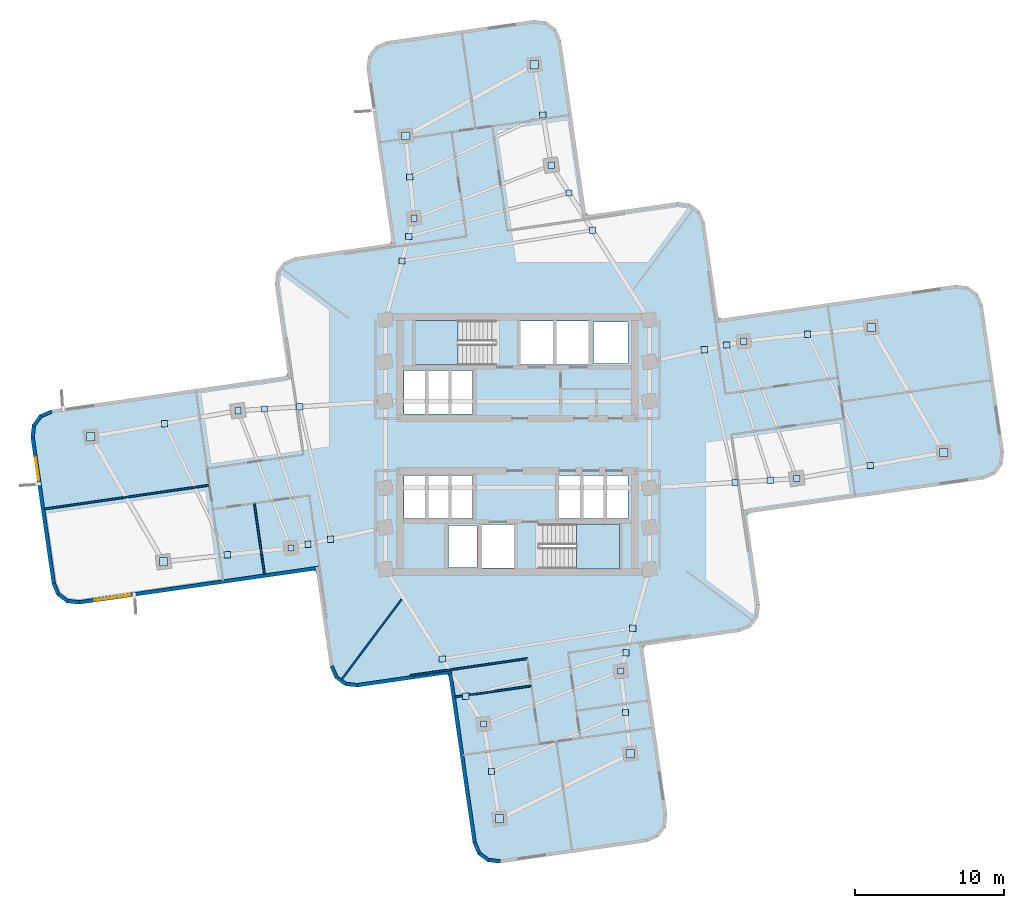
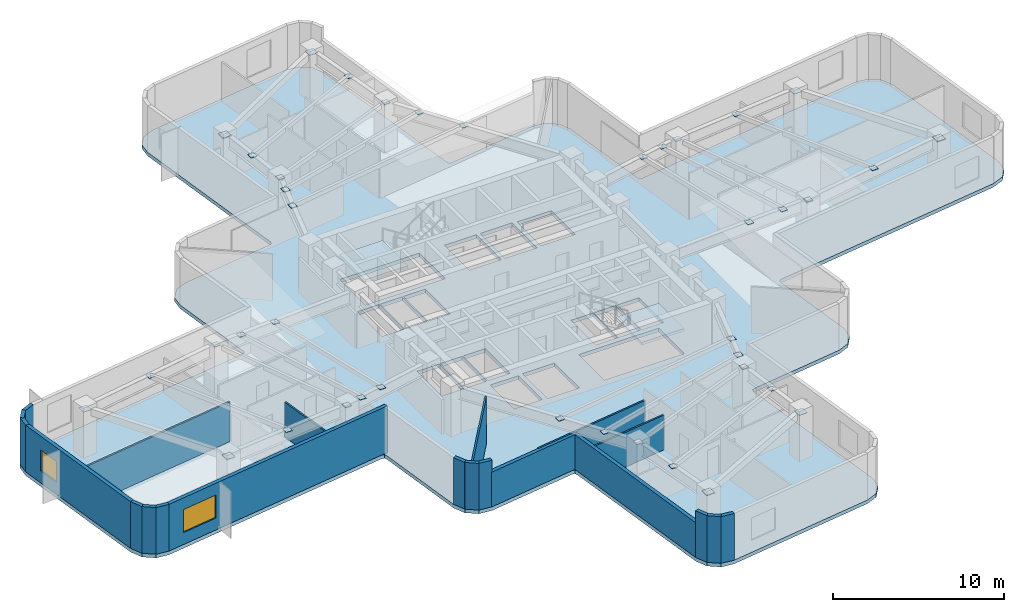
# One storey, part 2 of 10: 40 plates, 21 walls, 3 slabs, 2 windows, 2 openings, 2 elements without a shape of their own.
"""IFC4 building model written with IfcOpenShell, lengths in metres."""

from ifc_helpers import new_model, si_unit, direction, frame, frame_2d, origin, origin_2d, place, context, subcontext, project, spatial, polyline, rectangle, outline, extrude, material, layer, layer_set, type_object, element, fill, aggregate, save


model = new_model("IFC4")

# Units and contexts
model_context = context("Model", 3, precision=1e-05, world=origin(), true_north=direction((0.0, 1.0)))
body_context = subcontext(model_context, "Body", "Model", "MODEL_VIEW")
ifc_project = project(units=[si_unit("LENGTHUNIT", "METRE"), si_unit("AREAUNIT", "SQUARE_METRE"), si_unit("VOLUMEUNIT", "CUBIC_METRE"), si_unit("PLANEANGLEUNIT", "RADIAN"), si_unit("MASSUNIT", "GRAM", prefix="KILO")], contexts=[model_context])

# Site, building, storey
site_placement = place(None, origin())
site = spatial("IfcSite", under=ifc_project, at=site_placement, CompositionType="ELEMENT")
building_placement = place(site_placement, origin())
building = spatial("IfcBuilding", under=site, at=building_placement, Name="Solmarez Civic Tower", CompositionType="ELEMENT")
storey_placement = place(building_placement, frame((0.0, 0.0, 85.679931640625)))
storey = spatial("IfcBuildingStorey", under=building, at=storey_placement, Name="L22", CompositionType="ELEMENT", Elevation=85.679931640625)

# Plates
ifc_material_1 = material(Name="Steel S355", Category="steel")
ifc_layer_1 = layer(ifc_material_1, 0.02392578125)
ifc_layer_set_1 = layer_set([ifc_layer_1], Name="Steel S355")
plate_type_1 = type_object("IfcPlateType", Name="PLT-CAP-380", PredefinedType="USERDEFINED", material=ifc_layer_set_1)
for number, where, z_axis, x_axis, name in (
    (1, (18.72412109375, -2.27099609375, 3.17822265625), (0.0, 0.0, 1.0), (1.0, 0.0, 0.0), "Steel Member End Cap Plate CAP-BM-L22-EA-T1-0"),
    (2, (15.175048828125, 6.927001953125, 3.17822265625), (0.0, 0.0, 1.0), (1.0, 0.0, 0.0), "Steel Member End Cap Plate CAP-BM-L22-EA-T1-1"),
    (3, (23.64990234375, -1.402099609375, 3.17822265625), (0.0, 0.0, 1.0), (1.0, 0.0, 0.0), "Steel Member End Cap Plate CAP-JS-L22-EA-M2-0"),
    (4, (19.445068359375, 7.388916015625, 3.17822265625), (0.0, 0.0, 1.0), (1.0, 0.0, 0.0), "Steel Member End Cap Plate CAP-JS-L22-EA-M2-1"),
    (5, (14.576904296875, -2.534912109375, 3.17822265625), (0.0, 0.0, 1.0), (1.0, 0.0, 0.0), "Steel Member End Cap Plate CAP-JS-L22-EA-M11-0"),
    (6, (12.51806640625, 6.34912109375, 3.17822265625), (0.0, 0.0, 1.0), (1.0, 0.0, 0.0), "Steel Member End Cap Plate CAP-JS-L22-EA-M11-1"),
    (7, (16.947021484375, -2.384033203125, 3.17822265625), (0.0, 0.0, 1.0), (1.0, 0.0, 0.0), "Steel Member End Cap Plate CAP-JS-L22-EA-M12-0"),
    (8, (14.037109375, 6.678955078125, 3.17822265625), (0.0, 0.0, 1.0), (1.0, 0.0, 0.0), "Steel Member End Cap Plate CAP-JS-L22-EA-M12-1"),
    (9, (2.27099609375, 18.72412109375, 3.17822265625), (0.0, 0.0, 1.0), (1.0, 0.0, 0.0), "Steel Member End Cap Plate CAP-BM-L22-NA-T1-0"),
    (10, (-6.927001953125, 15.175048828125, 3.17822265625), (0.0, 0.0, 1.0), (1.0, 0.0, 0.0), "Steel Member End Cap Plate CAP-BM-L22-NA-T1-1"),
    (11, (1.705078125, 22.090087890625, 3.17822265625), (0.0, 0.0, 1.0), (1.0, 0.0, 0.0), "Steel Member End Cap Plate CAP-JS-L22-NA-M2-0"),
    (12, (-7.2080078125, 17.927001953125, 3.17822265625), (0.0, 0.0, 1.0), (1.0, 0.0, 0.0), "Steel Member End Cap Plate CAP-JS-L22-NA-M2-1"),
    (13, (5.033935546875, 14.366943359375, 3.17822265625), (0.0, 0.0, 1.0), (1.0, 0.0, 0.0), "Steel Member End Cap Plate CAP-JS-L22-NA-M11-0"),
    (14, (-7.735107421875, 12.30908203125, 3.17822265625), (0.0, 0.0, 1.0), (1.0, 0.0, 0.0), "Steel Member End Cap Plate CAP-JS-L22-NA-M11-1"),
    (15, (3.455078125, 16.85693359375, 3.17822265625), (0.0, 0.0, 1.0), (1.0, 0.0, 0.0), "Steel Member End Cap Plate CAP-JS-L22-NA-M12-0"),
    (16, (-7.27294921875, 13.947021484375, 3.17822265625), (0.0, 0.0, 1.0), (1.0, 0.0, 0.0), "Steel Member End Cap Plate CAP-JS-L22-NA-M12-1"),
    (17, (-18.72412109375, 2.27099609375, 3.17822265625), (0.0, 0.0, 1.0), (1.0, 0.0, 0.0), "Steel Member End Cap Plate CAP-BM-L22-WA-T1-0"),
    (18, (-15.175048828125, -6.927001953125, 3.17822265625), (0.0, 0.0, 1.0), (1.0, 0.0, 0.0), "Steel Member End Cap Plate CAP-BM-L22-WA-T1-1"),
    (19, (-23.64990234375, 1.402099609375, 3.17822265625), (0.0, 0.0, 1.0), (1.0, 0.0, 0.0), "Steel Member End Cap Plate CAP-JS-L22-WA-M2-0"),
    (20, (-19.445068359375, -7.388916015625, 3.17822265625), (0.0, 0.0, 1.0), (1.0, 0.0, 0.0), "Steel Member End Cap Plate CAP-JS-L22-WA-M2-1"),
    (21, (-14.576904296875, 2.534912109375, 3.17822265625), (0.0, 0.0, 1.0), (1.0, 0.0, 0.0), "Steel Member End Cap Plate CAP-JS-L22-WA-M11-0"),
    (22, (-12.51806640625, -6.34912109375, 3.17822265625), (0.0, 0.0, 1.0), (1.0, 0.0, 0.0), "Steel Member End Cap Plate CAP-JS-L22-WA-M11-1"),
    (23, (-16.947021484375, 2.384033203125, 3.17822265625), (0.0, 0.0, 1.0), (1.0, 0.0, 0.0), "Steel Member End Cap Plate CAP-JS-L22-WA-M12-0"),
    (24, (-14.037109375, -6.678955078125, 3.17822265625), (0.0, 0.0, 1.0), (1.0, 0.0, 0.0), "Steel Member End Cap Plate CAP-JS-L22-WA-M12-1"),
    (25, (-2.27099609375, -18.72412109375, 3.17822265625), (0.0, 0.0, 1.0), (1.0, 0.0, 0.0), "Steel Member End Cap Plate CAP-BM-L22-SA-T1-0"),
    (26, (6.927001953125, -15.175048828125, 3.17822265625), (0.0, 0.0, 1.0), (1.0, 0.0, 0.0), "Steel Member End Cap Plate CAP-BM-L22-SA-T1-1"),
    (27, (-1.73291015625, -21.89892578125, 3.17822265625), (0.0, 0.0, 1.0), (1.0, 0.0, 0.0), "Steel Member End Cap Plate CAP-JS-L22-SA-M2-0"),
    (28, (7.25, -17.944091796875, 3.17822265625), (0.0, 0.0, 1.0), (1.0, 0.0, 0.0), "Steel Member End Cap Plate CAP-JS-L22-SA-M2-1"),
    (29, (-5.033935546875, -14.366943359375, 3.17822265625), (0.0, 0.0, 1.0), (1.0, 0.0, 0.0), "Steel Member End Cap Plate CAP-JS-L22-SA-M11-0"),
    (30, (7.735107421875, -12.30908203125, 3.17822265625), (0.0, 0.0, 1.0), (1.0, 0.0, 0.0), "Steel Member End Cap Plate CAP-JS-L22-SA-M11-1"),
    (31, (-3.455078125, -16.85693359375, 3.17822265625), (0.0, 0.0, 1.0), (1.0, 0.0, 0.0), "Steel Member End Cap Plate CAP-JS-L22-SA-M12-0"),
    (32, (7.27294921875, -13.947021484375, 3.17822265625), (0.0, 0.0, 1.0), (1.0, 0.0, 0.0), "Steel Member End Cap Plate CAP-JS-L22-SA-M12-1"),
):
    element("IfcPlate", number, at=place(storey_placement, frame(where, z_axis=z_axis, x_axis=x_axis)), inside=storey, type_object=plate_type_1, Name=name, ObjectType="CAP_PLATE", PredefinedType="USERDEFINED", context=body_context, shape_type="SweptSolid", body=[
        extrude(rectangle(XDim=0.419921875, YDim=0.419921875, at=origin_2d()), origin(), (0.0, 0.0, 1.0), 0.02392578125),
    ])
ifc_layer_2 = layer(ifc_material_1, 0.028076171875)
ifc_layer_set_2 = layer_set([ifc_layer_2], Name="Steel S355")
plate_type_2 = type_object("IfcPlateType", Name="PLT-CAP-540", PredefinedType="USERDEFINED", material=ifc_layer_set_2)
for number, where, z_axis, x_axis, name in (
    (33, (28.575927734375, -0.532958984375, 3.076171875), (0.0, 0.0, 1.0), (1.0, 0.0, 0.0), "Steel Member End Cap Plate CAP-BM-L22-EA-T2-0"),
    (34, (23.715087890625, 7.85107421875, 3.076171875), (0.0, 0.0, 1.0), (1.0, 0.0, 0.0), "Steel Member End Cap Plate CAP-BM-L22-EA-T2-1"),
    (35, (1.138916015625, 25.45703125, 3.076171875), (0.0, 0.0, 1.0), (1.0, 0.0, 0.0), "Steel Member End Cap Plate CAP-BM-L22-NA-T2-0"),
    (36, (-7.489013671875, 20.678955078125, 3.076171875), (0.0, 0.0, 1.0), (1.0, 0.0, 0.0), "Steel Member End Cap Plate CAP-BM-L22-NA-T2-1"),
    (37, (-28.575927734375, 0.532958984375, 3.076171875), (0.0, 0.0, 1.0), (1.0, 0.0, 0.0), "Steel Member End Cap Plate CAP-BM-L22-WA-T2-0"),
    (38, (-23.715087890625, -7.85107421875, 3.076171875), (0.0, 0.0, 1.0), (1.0, 0.0, 0.0), "Steel Member End Cap Plate CAP-BM-L22-WA-T2-1"),
    (39, (-1.195068359375, -25.073974609375, 3.076171875), (0.0, 0.0, 1.0), (1.0, 0.0, 0.0), "Steel Member End Cap Plate CAP-BM-L22-SA-T2-0"),
    (40, (7.573974609375, -20.714111328125, 3.076171875), (0.0, 0.0, 1.0), (1.0, 0.0, 0.0), "Steel Member End Cap Plate CAP-BM-L22-SA-T2-1"),
):
    element("IfcPlate", number, at=place(storey_placement, frame(where, z_axis=z_axis, x_axis=x_axis)), inside=storey, type_object=plate_type_2, Name=name, ObjectType="CAP_PLATE", PredefinedType="USERDEFINED", context=body_context, shape_type="SweptSolid", body=[
        extrude(rectangle(XDim=0.56005859375, YDim=0.56005859375, at=origin_2d()), origin(), (0.0, 0.0, 1.0), 0.028076171875),
    ])

# Stair, slab
ifc_material_2 = material(Name="Concrete C50/60", Category="concrete")
stair_type = type_object("IfcStairType", Name="STAIR-DOGLEG-140W-20R-1800", PredefinedType="HALF_TURN_STAIR", material=ifc_material_2)
stair_1_placement = place(storey_placement, origin())
stair_1 = element("IfcStair", 41, at=stair_1_placement, inside=storey, type_object=stair_type, Name="L22 North Core Protected Exit Stair ST-1", PredefinedType="HALF_TURN_STAIR")
ifc_layer_3 = layer(ifc_material_2, 0.199951171875)
ifc_layer_set_3 = layer_set([ifc_layer_3], Name="Concrete C50/60")
slab_type_1 = type_object("IfcSlabType", Name="SLAB-LANDING-200", PredefinedType="LANDING", material=ifc_layer_set_3)
slab_1_placement = place(storey_placement, frame((0.0, 0.0, 1.60009765625)))
slab_1 = element("IfcSlab", 42, at=slab_1_placement, type_object=slab_type_1, Name="ST-1 landing 1", PredefinedType="LANDING", context=body_context, shape_type="SweptSolid", body=[
    extrude(outline(polyline([(-3.969970703125, 8.320068359375), (-6.85009765625, 8.320068359375), (-6.85009765625, 5.320068359375), (-3.969970703125, 5.320068359375), (-3.969970703125, 8.320068359375)])), origin(), (0.0, 0.0, 1.0), 0.199951171875),
])
aggregate(stair_1, [slab_1])

stair_2_placement = place(storey_placement, origin())
stair_2 = element("IfcStair", 43, at=stair_2_placement, inside=storey, type_object=stair_type, Name="L22 South Core Protected Exit Stair ST-2", PredefinedType="HALF_TURN_STAIR")
slab_2_placement = place(storey_placement, frame((0.0, 0.0, 1.60009765625)))
slab_2 = element("IfcSlab", 44, at=slab_2_placement, type_object=slab_type_1, Name="ST-2 landing 1", PredefinedType="LANDING", context=body_context, shape_type="SweptSolid", body=[
    extrude(outline(polyline([(3.969970703125, -8.320068359375), (6.85009765625, -8.320068359375), (6.85009765625, -5.320068359375), (3.969970703125, -5.320068359375), (3.969970703125, -8.320068359375)])), origin(), (0.0, 0.0, 1.0), 0.199951171875),
])
aggregate(stair_2, [slab_2])

# Slab
ifc_layer_4 = layer(ifc_material_2, 0.260009765625)
ifc_layer_set_4 = layer_set([ifc_layer_4], Name="Concrete C50/60")
slab_type_2 = type_object("IfcSlabType", Name="SLAB-TOWER-260", PredefinedType="FLOOR", material=ifc_layer_set_4)
slab_3_placement = place(storey_placement, frame((0.0, 0.0, -0.260009765625)))
element("IfcSlab", 45, at=slab_3_placement, inside=storey, type_object=slab_type_2, Name="L22 Structural Slab", PredefinedType="FLOOR", context=body_context, shape_type="SweptSolid", body=[
    extrude(outline(polyline([(-13.4580078125, -8.617919921875), (-12.553955078125, -14.89306640625), (-12.22802734375, -15.654052734375), (-11.56494140625, -16.14990234375), (-10.741943359375, -16.248046875), (-4.823974609375, -15.39501953125), (-4.653076171875, -15.416015625), (-4.5859375, -15.573974609375), (-2.98291015625, -26.697998046875), (-2.656005859375, -27.4599609375), (-1.992919921875, -27.9560546875), (-1.1708984375, -28.053955078125), (8.68701171875, -26.633056640625), (9.448974609375, -26.306884765625), (9.945068359375, -25.64404296875), (10.04296875, -24.821044921875), (8.43994140625, -13.697021484375), (8.4599609375, -13.52587890625), (8.617919921875, -13.4580078125), (14.89306640625, -12.553955078125), (15.654052734375, -12.22802734375), (16.14990234375, -11.56494140625), (16.248046875, -10.741943359375), (15.39501953125, -4.823974609375), (15.416015625, -4.653076171875), (15.573974609375, -4.5859375), (31.2509765625, -2.325927734375), (32.012939453125, -2.0), (32.509033203125, -1.3369140625), (32.60693359375, -0.514892578125), (31.18603515625, 9.343994140625), (30.860107421875, 10.10498046875), (30.197021484375, 10.60107421875), (29.3740234375, 10.698974609375), (13.697021484375, 8.43994140625), (13.52587890625, 8.4599609375), (13.4580078125, 8.617919921875), (12.553955078125, 14.89306640625), (12.22802734375, 15.654052734375), (11.56494140625, 16.14990234375), (10.741943359375, 16.248046875), (4.823974609375, 15.39501953125), (4.653076171875, 15.416015625), (4.5859375, 15.573974609375), (2.925048828125, 27.093994140625), (2.59912109375, 27.85595703125), (1.93603515625, 28.35205078125), (1.114013671875, 28.449951171875), (-8.7451171875, 27.029052734375), (-9.506103515625, 26.702880859375), (-10.001953125, 26.0400390625), (-10.10009765625, 25.217041015625), (-8.43994140625, 13.697021484375), (-8.4599609375, 13.52587890625), (-8.617919921875, 13.4580078125), (-14.89306640625, 12.553955078125), (-15.654052734375, 12.22802734375), (-16.14990234375, 11.56494140625), (-16.248046875, 10.741943359375), (-15.39501953125, 4.823974609375), (-15.416015625, 4.653076171875), (-15.573974609375, 4.5859375), (-31.2509765625, 2.325927734375), (-32.012939453125, 2.0), (-32.509033203125, 1.3369140625), (-32.60693359375, 0.514892578125), (-31.18603515625, -9.343994140625), (-30.860107421875, -10.10498046875), (-30.197021484375, -10.60107421875), (-29.3740234375, -10.698974609375), (-13.697021484375, -8.43994140625), (-13.52587890625, -8.4599609375), (-13.4580078125, -8.617919921875)]), holes=[polyline([(-1.449951171875, 8.320068359375), (-6.85009765625, 8.320068359375), (-6.85009765625, 5.320068359375), (-1.449951171875, 5.320068359375), (-1.449951171875, 8.320068359375)]), polyline([(1.449951171875, -8.320068359375), (6.85009765625, -8.320068359375), (6.85009765625, -5.320068359375), (1.449951171875, -5.320068359375), (1.449951171875, -8.320068359375)]), polyline([(0.219970703125, 5.360107421875), (2.3798828125, 5.360107421875), (2.3798828125, 8.280029296875), (0.219970703125, 8.280029296875), (0.219970703125, 5.360107421875)]), polyline([(2.6201171875, 5.360107421875), (4.780029296875, 5.360107421875), (4.780029296875, 8.280029296875), (2.6201171875, 8.280029296875), (2.6201171875, 5.360107421875)]), polyline([(-2.3798828125, -8.280029296875), (-0.219970703125, -8.280029296875), (-0.219970703125, -5.360107421875), (-2.3798828125, -5.360107421875), (-2.3798828125, -8.280029296875)]), polyline([(2.800048828125, -4.9599609375), (4.280029296875, -4.9599609375), (4.280029296875, -2.06005859375), (2.800048828125, -2.06005859375), (2.800048828125, -4.9599609375)]), polyline([(4.360107421875, -4.9599609375), (5.840087890625, -4.9599609375), (5.840087890625, -2.06005859375), (4.360107421875, -2.06005859375), (4.360107421875, -4.9599609375)]), polyline([(5.919921875, -4.9599609375), (7.39990234375, -4.9599609375), (7.39990234375, -2.06005859375), (5.919921875, -2.06005859375), (5.919921875, -4.9599609375)]), polyline([(-7.60009765625, -4.9599609375), (-6.1201171875, -4.9599609375), (-6.1201171875, -2.06005859375), (-7.60009765625, -2.06005859375), (-7.60009765625, -4.9599609375)]), polyline([(-6.0400390625, -4.9599609375), (-4.56005859375, -4.9599609375), (-4.56005859375, -2.06005859375), (-6.0400390625, -2.06005859375), (-6.0400390625, -4.9599609375)]), polyline([(-4.47998046875, -4.9599609375), (-3.0, -4.9599609375), (-3.0, -2.06005859375), (-4.47998046875, -2.06005859375), (-4.47998046875, -4.9599609375)]), polyline([(-7.60009765625, 2.06005859375), (-6.1201171875, 2.06005859375), (-6.1201171875, 4.9599609375), (-7.60009765625, 4.9599609375), (-7.60009765625, 2.06005859375)]), polyline([(-6.0400390625, 2.06005859375), (-4.56005859375, 2.06005859375), (-4.56005859375, 4.9599609375), (-6.0400390625, 4.9599609375), (-6.0400390625, 2.06005859375)]), polyline([(-4.47998046875, 2.06005859375), (-3.0, 2.06005859375), (-3.0, 4.9599609375), (-4.47998046875, 4.9599609375), (-4.47998046875, 2.06005859375)]), polyline([(5.10009765625, 5.419921875), (7.39990234375, 5.419921875), (7.39990234375, 8.219970703125), (5.10009765625, 8.219970703125), (5.10009765625, 5.419921875)]), polyline([(-4.60009765625, -8.219970703125), (-2.699951171875, -8.219970703125), (-2.699951171875, -5.419921875), (-4.60009765625, -5.419921875), (-4.60009765625, -8.219970703125)])]), origin(), (0.0, 0.0, 1.0), 0.260009765625),
])

# Wall, opening, window
ifc_material_3 = material(Name="Precast concrete C40/50", Category="concrete")
ifc_layer_5 = layer(ifc_material_3, 0.239990234375)
ifc_layer_set_5 = layer_set([ifc_layer_5], Name="Precast concrete C40/50")
wall_type_1 = type_object("IfcWallType", Name="WALL-EXT-240", PredefinedType="SOLIDWALL", material=ifc_layer_set_5)
wall_1_placement = place(storey_placement, frame((-13.2919921875, -8.260009765625, 0.0), z_axis=(0.0, 0.0, 1.0), x_axis=(-0.989770197797, -0.142670794326, 0.0)))
wall_1 = element("IfcWall", 46, at=wall_1_placement, inside=storey, type_object=wall_type_1, Name="L22 Exterior Precast Wall 2", PredefinedType="SOLIDWALL", context=body_context, shape_type="SweptSolid", body=[
    extrude(rectangle(XDim=16.275390625, YDim=0.239990234375, at=frame_2d((8.1376953125, 0.0))), origin(), (0.0, 0.0, 1.0), 3.340087890625),
])
opening_1_placement = place(wall_1_placement, frame((12.77490234375, 0.0, 0.85009765625)))
opening_1 = element("IfcOpeningElement", 47, at=opening_1_placement, cuts=wall_1, Name="Opening W-10", PredefinedType="OPENING", context=body_context, shape_type="SweptSolid", body=[
    extrude(rectangle(XDim=2.39990234375, YDim=1.64990234375, at=frame_2d((1.199951171875, 0.824951171875))), frame((0.0, 0.1298828125, 0.0), z_axis=(0.0, -1.0, 0.0), x_axis=(1.0, 0.0, 0.0)), (0.0, 0.0, 1.0), 0.260009765625),
])
ifc_material_4 = material(Name="Solar Control Bronze-Tinted Insulating Glass", Category="glass")
window_type_1 = type_object("IfcWindowType", Name="WIN-2400X1650", PartitioningType="SINGLE_PANEL", PredefinedType="WINDOW", material=ifc_material_4)
window_1_placement = place(opening_1_placement, origin())
window_1 = element("IfcWindow", 48, at=window_1_placement, inside=storey, type_object=window_type_1, Name="L22 Exterior Facade Window 2", OverallHeight=1.64990234375, OverallWidth=2.39990234375, PartitioningType="SINGLE_PANEL", PredefinedType="WINDOW", context=body_context, shape_type="SweptSolid", body=[
    extrude(rectangle(XDim=2.39990234375, YDim=1.64990234375, at=frame_2d((1.199951171875, 0.824951171875))), frame((0.0, 0.030029296875, 0.0), z_axis=(0.0, -1.0, 0.0), x_axis=(1.0, 0.0, 0.0)), (0.0, 0.0, 1.0), 0.06005859375),
])
fill(opening_1, window_1)

# Walls
wall_2_placement = place(storey_placement, frame((-29.35107421875, -10.5810546875, 0.0), z_axis=(0.0, 0.0, 1.0), x_axis=(-0.992997305963, 0.118136998224, 0.0)))
element("IfcWall", 49, at=wall_2_placement, inside=storey, type_object=wall_type_1, Name="L22 Exterior Precast Wall 3", PredefinedType="SOLIDWALL", context=body_context, shape_type="SweptSolid", body=[
    extrude(rectangle(XDim=0.830810546875, YDim=0.239990234375, at=frame_2d((0.41552734375, 0.0))), origin(), (0.0, 0.0, 1.0), 3.340087890625),
])
wall_3_placement = place(storey_placement, frame((-30.131103515625, -10.5009765625, 0.0), z_axis=(0.0, 0.0, 1.0), x_axis=(-0.800072018724, 0.599903963027, 0.0)))
element("IfcWall", 50, at=wall_3_placement, inside=storey, type_object=wall_type_1, Name="L22 Exterior Precast Wall 4", PredefinedType="SOLIDWALL", context=body_context, shape_type="SweptSolid", body=[
    extrude(rectangle(XDim=0.8134765625, YDim=0.239990234375, at=frame_2d((0.40673828125, 0.0))), origin(), (0.0, 0.0, 1.0), 3.340087890625),
])
wall_4_placement = place(storey_placement, frame((-30.751953125, -10.051025390625, 0.0), z_axis=(0.0, 0.0, 1.0), x_axis=(-0.395089773053, 0.91864251547, 0.0)))
element("IfcWall", 51, at=wall_4_placement, inside=storey, type_object=wall_type_1, Name="L22 Exterior Precast Wall 5", PredefinedType="SOLIDWALL", context=body_context, shape_type="SweptSolid", body=[
    extrude(rectangle(XDim=0.83056640625, YDim=0.239990234375, at=frame_2d((0.415283203125, 0.0))), origin(), (0.0, 0.0, 1.0), 3.340087890625),
])

# Wall, opening, window
wall_5_placement = place(storey_placement, frame((-31.06591796875, -9.3359375, 0.0), z_axis=(0.0, 0.0, 1.0), x_axis=(-0.142705661552, 0.98976517122, 0.0)))
wall_5 = element("IfcWall", 52, at=wall_5_placement, inside=storey, type_object=wall_type_1, Name="L22 Exterior Precast Wall 6", PredefinedType="SOLIDWALL", context=body_context, shape_type="SweptSolid", body=[
    extrude(rectangle(XDim=9.97900390625, YDim=0.239990234375, at=frame_2d((4.989501953125, 0.0))), origin(), (0.0, 0.0, 1.0), 3.340087890625),
])
opening_2_placement = place(wall_5_placement, frame((7.033935546875, 0.0, 0.85009765625)))
opening_2 = element("IfcOpeningElement", 53, at=opening_2_placement, cuts=wall_5, Name="Opening W-14", PredefinedType="OPENING", context=body_context, shape_type="SweptSolid", body=[
    extrude(rectangle(XDim=1.5, YDim=1.5, at=frame_2d((0.75, 0.75))), frame((0.0, 0.1298828125, 0.0), z_axis=(0.0, -1.0, 0.0), x_axis=(1.0, 0.0, 0.0)), (0.0, 0.0, 1.0), 0.260009765625),
])
window_type_2 = type_object("IfcWindowType", Name="WIN-1500X1500", PartitioningType="SINGLE_PANEL", PredefinedType="WINDOW", material=ifc_material_4)
window_2_placement = place(opening_2_placement, origin())
window_2 = element("IfcWindow", 54, at=window_2_placement, inside=storey, type_object=window_type_2, Name="L22 Exterior Facade Window 6", OverallHeight=1.5, OverallWidth=1.5, PartitioningType="SINGLE_PANEL", PredefinedType="WINDOW", context=body_context, shape_type="SweptSolid", body=[
    extrude(rectangle(XDim=1.5, YDim=1.5, at=frame_2d((0.75, 0.75))), frame((0.0, 0.030029296875, 0.0), z_axis=(0.0, -1.0, 0.0), x_axis=(1.0, 0.0, 0.0)), (0.0, 0.0, 1.0), 0.06005859375),
])
fill(opening_2, window_2)

# Walls
wall_6_placement = place(storey_placement, frame((-32.489013671875, 0.490966796875, 0.0), z_axis=(0.0, 0.0, 1.0), x_axis=(0.119295842971, 0.992858752215, 0.0)))
element("IfcWall", 55, at=wall_6_placement, inside=storey, type_object=wall_type_1, Name="L22 Exterior Precast Wall 7", PredefinedType="SOLIDWALL", context=body_context, shape_type="SweptSolid", body=[
    extrude(rectangle(XDim=0.830810546875, YDim=0.239990234375, at=frame_2d((0.41552734375, 0.0))), origin(), (0.0, 0.0, 1.0), 3.340087890625),
])
wall_7_placement = place(storey_placement, frame((-32.407958984375, 1.27099609375, 0.0), z_axis=(0.0, 0.0, 1.0), x_axis=(0.598415049045, 0.801186263659, 0.0)))
element("IfcWall", 56, at=wall_7_placement, inside=storey, type_object=wall_type_1, Name="L22 Exterior Precast Wall 8", PredefinedType="SOLIDWALL", context=body_context, shape_type="SweptSolid", body=[
    extrude(rectangle(XDim=0.81396484375, YDim=0.239990234375, at=frame_2d((0.406982421875, 0.0))), origin(), (0.0, 0.0, 1.0), 3.340087890625),
])
wall_8_placement = place(storey_placement, frame((-31.958984375, 1.89306640625, 0.0), z_axis=(0.0, 0.0, 1.0), x_axis=(0.919175455153, 0.393848299024, 0.0)))
element("IfcWall", 57, at=wall_8_placement, inside=storey, type_object=wall_type_1, Name="L22 Exterior Precast Wall 9", PredefinedType="SOLIDWALL", context=body_context, shape_type="SweptSolid", body=[
    extrude(rectangle(XDim=0.830078125, YDim=0.239990234375, at=frame_2d((0.4150390625, 0.0))), origin(), (0.0, 0.0, 1.0), 3.340087890625),
])
wall_9_placement = place(storey_placement, frame((-1.14697265625, -27.93603515625, 0.0), z_axis=(0.0, 0.0, 1.0), x_axis=(-0.992858752215, 0.119295842971, 0.0)))
element("IfcWall", 58, at=wall_9_placement, inside=storey, type_object=wall_type_1, Name="L22 Exterior Precast Wall 61", PredefinedType="SOLIDWALL", context=body_context, shape_type="SweptSolid", body=[
    extrude(rectangle(XDim=0.830810546875, YDim=0.239990234375, at=frame_2d((0.41552734375, 0.0))), origin(), (0.0, 0.0, 1.0), 3.340087890625),
])
wall_10_placement = place(storey_placement, frame((-1.927001953125, -27.85498046875, 0.0), z_axis=(0.0, 0.0, 1.0), x_axis=(-0.801186263659, 0.598415049045, 0.0)))
element("IfcWall", 59, at=wall_10_placement, inside=storey, type_object=wall_type_1, Name="L22 Exterior Precast Wall 62", PredefinedType="SOLIDWALL", context=body_context, shape_type="SweptSolid", body=[
    extrude(rectangle(XDim=0.81396484375, YDim=0.239990234375, at=frame_2d((0.406982421875, 0.0))), origin(), (0.0, 0.0, 1.0), 3.340087890625),
])
wall_11_placement = place(storey_placement, frame((-2.549072265625, -27.406005859375, 0.0), z_axis=(0.0, 0.0, 1.0), x_axis=(-0.393848299024, 0.919175455153, 0.0)))
element("IfcWall", 60, at=wall_11_placement, inside=storey, type_object=wall_type_1, Name="L22 Exterior Precast Wall 63", PredefinedType="SOLIDWALL", context=body_context, shape_type="SweptSolid", body=[
    extrude(rectangle(XDim=0.830078125, YDim=0.239990234375, at=frame_2d((0.4150390625, 0.0))), origin(), (0.0, 0.0, 1.0), 3.340087890625),
])
wall_12_placement = place(storey_placement, frame((-2.862060546875, -26.69091796875, 0.0), z_axis=(0.0, 0.0, 1.0), x_axis=(-0.142682889326, 0.989768454283, 0.0)))
element("IfcWall", 61, at=wall_12_placement, inside=storey, type_object=wall_type_1, Name="L22 Exterior Precast Wall 64", PredefinedType="SOLIDWALL", context=body_context, shape_type="SweptSolid", body=[
    extrude(rectangle(XDim=11.67626953125, YDim=0.239990234375, at=frame_2d((5.838134765625, 0.0))), origin(), (0.0, 0.0, 1.0), 2.486083984375),
])
wall_13_placement = place(storey_placement, frame((-4.4189453125, -15.215087890625, 0.0), z_axis=(0.0, 0.0, 1.0), x_axis=(-0.989755260243, -0.14277438433, 0.0)))
element("IfcWall", 62, at=wall_13_placement, inside=storey, type_object=wall_type_1, Name="L22 Exterior Precast Wall 67", PredefinedType="SOLIDWALL", context=body_context, shape_type="SweptSolid", body=[
    extrude(rectangle(XDim=6.415771484375, YDim=0.239990234375, at=frame_2d((3.2080078125, 0.0))), origin(), (0.0, 0.0, 1.0), 2.486083984375),
])
wall_14_placement = place(storey_placement, frame((-10.718994140625, -16.1298828125, 0.0), z_axis=(0.0, 0.0, 1.0), x_axis=(-0.993031739051, 0.117847211411, 0.0)))
element("IfcWall", 63, at=wall_14_placement, inside=storey, type_object=wall_type_1, Name="L22 Exterior Precast Wall 68", PredefinedType="SOLIDWALL", context=body_context, shape_type="SweptSolid", body=[
    extrude(rectangle(XDim=0.830810546875, YDim=0.239990234375, at=frame_2d((0.41552734375, 0.0))), origin(), (0.0, 0.0, 1.0), 3.340087890625),
])
wall_15_placement = place(storey_placement, frame((-11.4990234375, -16.050048828125, 0.0), z_axis=(0.0, 0.0, 1.0), x_axis=(-0.800072018724, 0.599903963027, 0.0)))
element("IfcWall", 64, at=wall_15_placement, inside=storey, type_object=wall_type_1, Name="L22 Exterior Precast Wall 69", PredefinedType="SOLIDWALL", context=body_context, shape_type="SweptSolid", body=[
    extrude(rectangle(XDim=0.8134765625, YDim=0.239990234375, at=frame_2d((0.40673828125, 0.0))), origin(), (0.0, 0.0, 1.0), 3.340087890625),
])
wall_16_placement = place(storey_placement, frame((-12.1201171875, -15.60009765625, 0.0), z_axis=(0.0, 0.0, 1.0), x_axis=(-0.394735025731, 0.918795004047, 0.0)))
element("IfcWall", 65, at=wall_16_placement, inside=storey, type_object=wall_type_1, Name="L22 Exterior Precast Wall 70", PredefinedType="SOLIDWALL", context=body_context, shape_type="SweptSolid", body=[
    extrude(rectangle(XDim=0.83056640625, YDim=0.239990234375, at=frame_2d((0.415283203125, 0.0))), origin(), (0.0, 0.0, 1.0), 3.340087890625),
])
ifc_material_5 = material(Name="Gypsum Board Acoustic Steel-Stud Partition", Category="steel")
ifc_layer_6 = layer(ifc_material_5, 0.110107421875)
ifc_layer_set_6 = layer_set([ifc_layer_6], Name="Gypsum Board Acoustic Steel-Stud Partition")
wall_type_2 = type_object("IfcWallType", Name="WALL-INT-PART-110", PredefinedType="PARTITIONING", material=ifc_layer_set_6)
wall_17_placement = place(storey_placement, frame((-7.76611328125, -10.3798828125, 0.0), z_axis=(0.0, 0.0, 1.0), x_axis=(-0.598966195252, -0.800774310867, 0.0)))
element("IfcWall", 66, at=wall_17_placement, inside=storey, type_object=wall_type_2, Name="L22 Interior Partition PT-L22-QDIV-3", PredefinedType="PARTITIONING", context=body_context, shape_type="SweptSolid", body=[
    extrude(rectangle(XDim=6.691162109375, YDim=0.110107421875, at=frame_2d((3.345703125, 0.0))), origin(), (0.0, 0.0, 1.0), 3.340087890625),
])
wall_18_placement = place(storey_placement, frame((-17.6259765625, -3.9541015625, 0.0), z_axis=(0.0, 0.0, 1.0), x_axis=(0.142668704072, -0.989770499095, 0.0)))
element("IfcWall", 67, at=wall_18_placement, inside=storey, type_object=wall_type_2, Name="L22 Interior Partition PT-L22-W-LM", PredefinedType="PARTITIONING", context=body_context, shape_type="SweptSolid", body=[
    extrude(rectangle(XDim=4.794921875, YDim=0.110107421875, at=frame_2d((2.3974609375, 0.0))), origin(), (0.0, 0.0, 1.0), 2.486083984375),
])
wall_19_placement = place(storey_placement, frame((-20.69189453125, -2.72900390625, 0.0), z_axis=(0.0, 0.0, 1.0), x_axis=(-0.989773607841, -0.14264713534, 0.0)))
element("IfcWall", 68, at=wall_19_placement, inside=storey, type_object=wall_type_2, Name="L22 Interior Partition PT-L22-W-TM", PredefinedType="PARTITIONING", context=body_context, shape_type="SweptSolid", body=[
    extrude(rectangle(XDim=11.124755859375, YDim=0.110107421875, at=frame_2d((5.5625, 0.0))), origin(), (0.0, 0.0, 1.0), 2.83203125),
])
wall_20_placement = place(storey_placement, frame((-7.18603515625, -15.47412109375, 0.0), z_axis=(0.0, 0.0, 1.0), x_axis=(0.989754461648, 0.142779920322, 0.0)))
element("IfcWall", 69, at=wall_20_placement, inside=storey, type_object=wall_type_2, Name="L22 Interior Partition PT-L22-S-EFR", PredefinedType="PARTITIONING", context=body_context, shape_type="SweptSolid", body=[
    extrude(rectangle(XDim=7.949462890625, YDim=0.110107421875, at=frame_2d((3.974609375, 0.0))), origin(), (0.0, 0.0, 1.0), 2.486083984375),
])
wall_21_placement = place(storey_placement, frame((-4.18603515625, -16.909912109375, 0.0), z_axis=(0.0, 0.0, 1.0), x_axis=(0.989785908973, 0.142561756436, 0.0)))
element("IfcWall", 70, at=wall_21_placement, inside=storey, type_object=wall_type_2, Name="L22 Interior Partition PT-L22-S-RM", PredefinedType="PARTITIONING", context=body_context, shape_type="SweptSolid", body=[
    extrude(rectangle(XDim=5.15478515625, YDim=0.110107421875, at=frame_2d((2.577392578125, 0.0))), origin(), (0.0, 0.0, 1.0), 2.486083984375),
])

save(model, "model.ifc")
